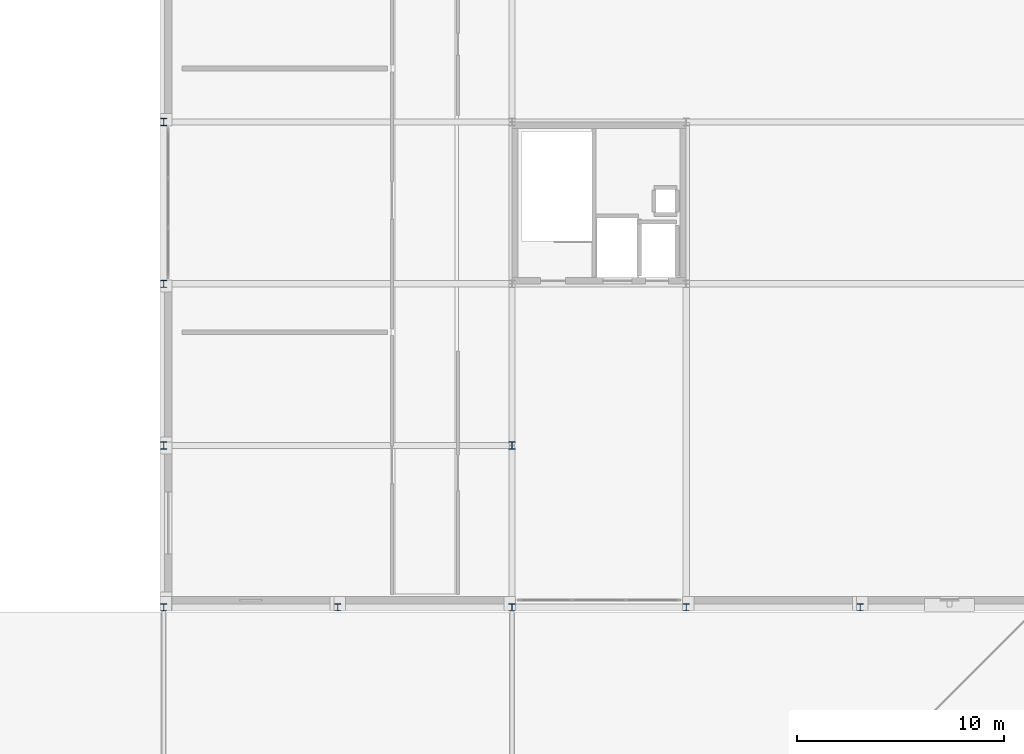
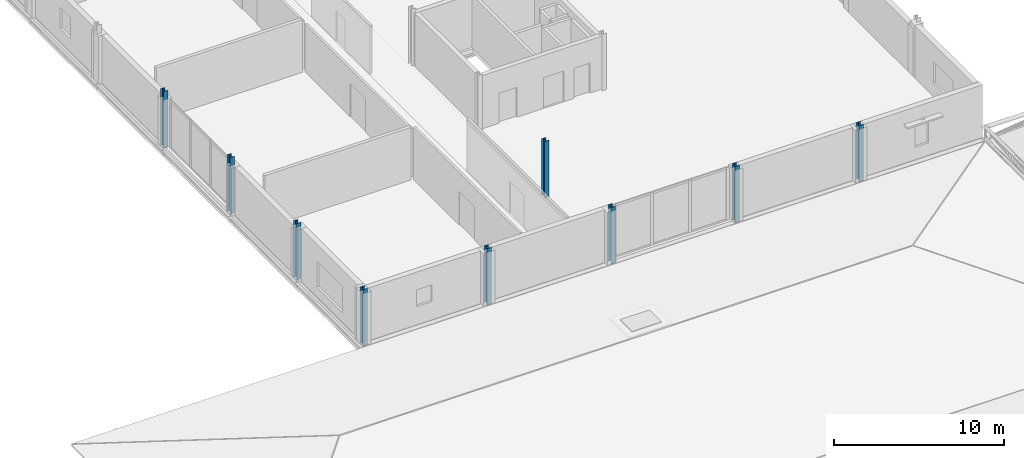
# One storey, part 1 of 77: 9 columns.
"""IFC4 building model written with IfcOpenShell, lengths in metres."""

from ifc_helpers import new_model, si_unit, direction, frame, origin, origin_2d, place, context, subcontext, project, spatial, i_section, extrude, material, material_profile, profile_set, type_object, element, save


model = new_model("IFC4")

# Units and contexts
model_context = context("Model", 3, precision=1e-05, world=origin(), true_north=direction((0.0, 1.0)))
body_context = subcontext(model_context, "Body", "Model", "MODEL_VIEW")
ifc_project = project(units=[si_unit("LENGTHUNIT", "METRE"), si_unit("AREAUNIT", "SQUARE_METRE"), si_unit("VOLUMEUNIT", "CUBIC_METRE"), si_unit("PLANEANGLEUNIT", "RADIAN"), si_unit("MASSUNIT", "GRAM", prefix="KILO")], contexts=[model_context])

# Site, building, storey
site_placement = place(None, origin())
site = spatial("IfcSite", under=ifc_project, at=site_placement, CompositionType="ELEMENT")
building_placement = place(site_placement, origin())
building = spatial("IfcBuilding", under=site, at=building_placement, Name="Nabrawat Pavilion Hospital", CompositionType="ELEMENT")
storey_placement = place(building_placement, frame((0.0, 0.0, 14.85009765625)))
storey = spatial("IfcBuildingStorey", under=building, at=storey_placement, Name="L03", CompositionType="ELEMENT", Elevation=14.85009765625)

# Columns
ifc_material = material(Name="Steel S355", Category="steel")
ifc_material_profile = material_profile(ifc_material, i_section(OverallWidth=0.300048828125, OverallDepth=0.35009765625, WebThickness=0.009521484375, FlangeThickness=0.017578125, FilletRadius=0.027099609375, at=origin_2d()), Name="HEA 360")
ifc_profile_set = profile_set([ifc_material_profile], Name="Steel S355")
column_type = type_object("IfcColumnType", Name="Pavilion Top Steel Column HEA 360", PredefinedType="COLUMN", material=ifc_profile_set)
for number, where, z_axis, x_axis, name in (
    (1, (16.800048828125, 39.0, 0.0), (0.0, 0.0, 1.0), (1.0, 0.0, 0.0), "L03 Structural Column G-3-F1"),
    (2, (16.800048828125, 46.800048828125, 0.0), (0.0, 0.0, 1.0), (1.0, 0.0, 0.0), "L03 Structural Column G-3-G"),
    (3, (16.800048828125, 54.60009765625, 0.0), (0.0, 0.0, 1.0), (1.0, 0.0, 0.0), "L03 Structural Column G-3-H"),
    (4, (16.800048828125, 62.39990234375, 0.0), (0.0, 0.0, 1.0), (1.0, 0.0, 0.0), "L03 Structural Column G-3-J"),
    (5, (25.199951171875, 39.0, 0.0), (0.0, 0.0, 1.0), (1.0, 0.0, 0.0), "L03 Structural Column G-4-F1"),
    (6, (33.60009765625, 39.0, 0.0), (0.0, 0.0, 1.0), (1.0, 0.0, 0.0), "L03 Structural Column G-5-F1"),
    (7, (33.60009765625, 46.800048828125, 0.0), (0.0, 0.0, 1.0), (1.0, 0.0, 0.0), "L03 Structural Column G-5-G"),
    (8, (42.0, 39.0, 0.0), (0.0, 0.0, 1.0), (1.0, 0.0, 0.0), "L03 Structural Column G-6-F1"),
    (9, (50.39990234375, 39.0, 0.0), (0.0, 0.0, 1.0), (1.0, 0.0, 0.0), "L03 Structural Column G-7-F1"),
):
    element("IfcColumn", number, at=place(storey_placement, frame(where, z_axis=z_axis, x_axis=x_axis)), inside=storey, type_object=column_type, Name=name, PredefinedType="COLUMN", context=body_context, shape_type="SweptSolid", body=[
        extrude(i_section(OverallWidth=0.300048828125, OverallDepth=0.35009765625, WebThickness=0.009521484375, FlangeThickness=0.017578125, FilletRadius=0.027099609375, at=origin_2d()), origin(), (0.0, 0.0, 1.0), 4.0498046875),
    ])

save(model, "model.ifc")
